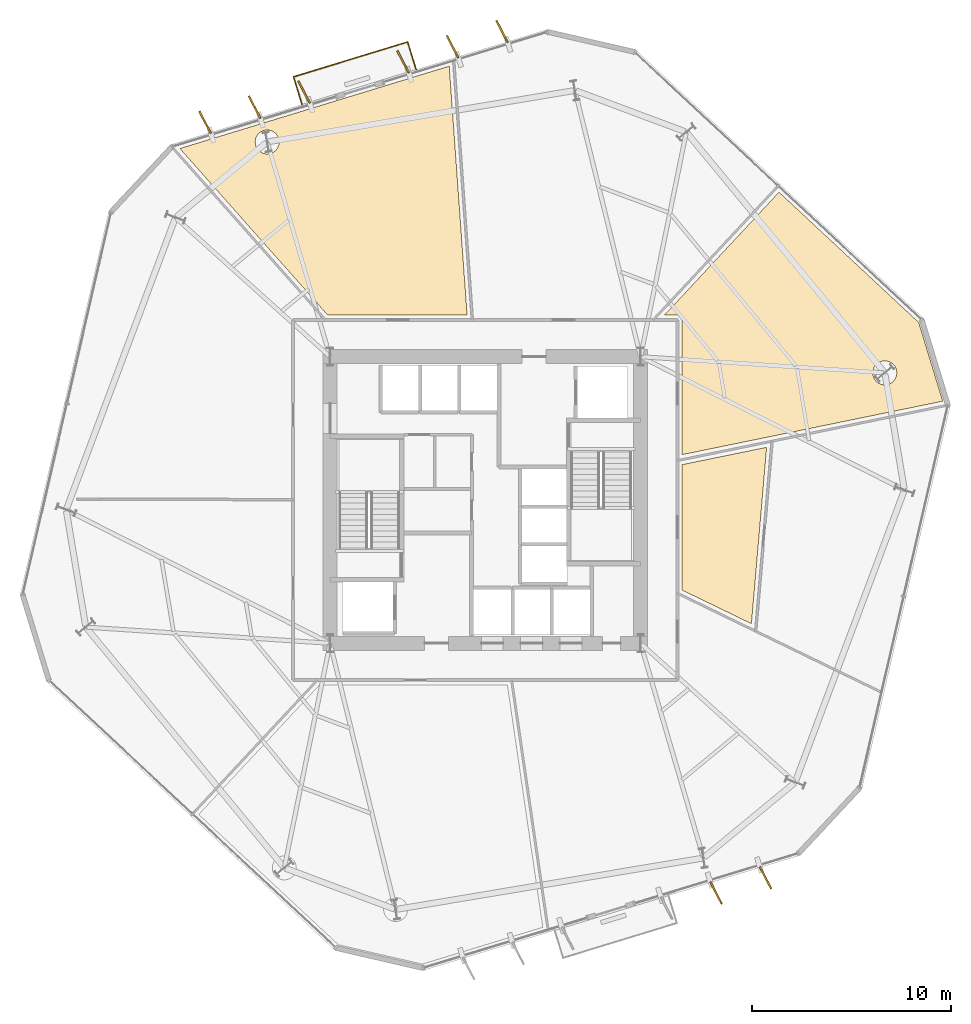
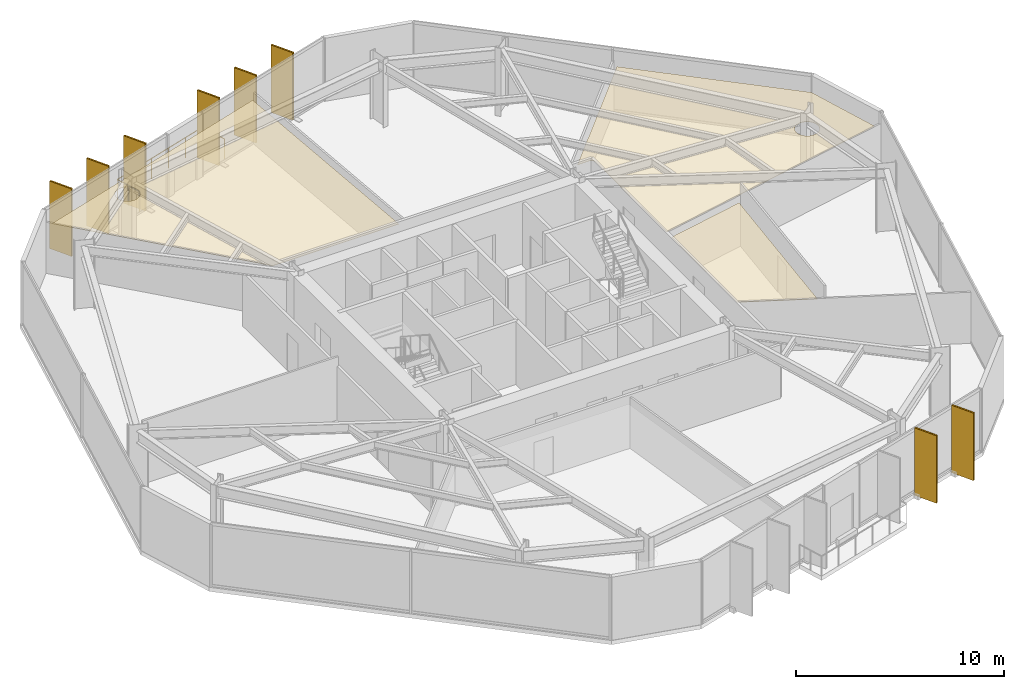
# One storey, part 9 of 9: 11 coverings, 8 shading devices, 1 railing.
"""IFC4 building model written with IfcOpenShell, lengths in metres."""

from ifc_helpers import new_model, si_unit, direction, frame, origin, origin_2d, place, context, subcontext, project, spatial, polyline, rectangle, circle, outline, extrude, material, layer, layer_set, type_object, element, save


model = new_model("IFC4")

# Units and contexts
model_context = context("Model", 3, precision=1e-05, world=origin(), true_north=direction((0.0, 1.0)))
body_context = subcontext(model_context, "Body", "Model", "MODEL_VIEW")
ifc_project = project(units=[si_unit("LENGTHUNIT", "METRE"), si_unit("AREAUNIT", "SQUARE_METRE"), si_unit("VOLUMEUNIT", "CUBIC_METRE"), si_unit("PLANEANGLEUNIT", "RADIAN"), si_unit("MASSUNIT", "GRAM", prefix="KILO")], contexts=[model_context])

# Site, building, storey
site_placement = place(None, origin())
site = spatial("IfcSite", under=ifc_project, at=site_placement, CompositionType="ELEMENT")
building_placement = place(site_placement, origin())
building = spatial("IfcBuilding", under=site, at=building_placement, Name="Kranzbogen Civic Tower", CompositionType="ELEMENT")
storey_placement = place(building_placement, frame((0.0, 0.0, 88.0)))
storey = spatial("IfcBuildingStorey", under=building, at=storey_placement, Name="L21", CompositionType="ELEMENT", Elevation=88.0)

# Coverings
ifc_material_1 = material(Name="Pale Anodised Aluminium", Category="aluminium")
ifc_layer_1 = layer(ifc_material_1, 0.02490234375, Name="Pale Anodised Aluminium")
ifc_layer_set_1 = layer_set([ifc_layer_1], Name="Pale Anodised Aluminium")
covering_type_1 = type_object("IfcCoveringType", Name="Anodised Aluminium Vertical Fin Cladding 25 mm", PredefinedType="CLADDING", material=ifc_layer_set_1)
for number, where, z_axis, x_axis, name in (
    (1, (25.840087890625, 48.5390625, -0.139892578125), (0.0, 0.0, 1.0), (-0.462073688663, 0.886841533897, 0.0), "L21 vertical fin pale-metal cladding F2-1"),
    (2, (23.35400390625, 47.778076171875, -0.139892578125), (0.0, 0.0, 1.0), (-0.462073688663, 0.886841533897, 0.0), "L21 vertical fin pale-metal cladding F2-2"),
    (3, (20.867919921875, 47.01806640625, -0.139892578125), (0.0, 0.0, 1.0), (-0.462073688663, 0.886841533897, 0.0), "L21 vertical fin pale-metal cladding F2-3"),
    (4, (15.89501953125, 45.498046875, -0.139892578125), (0.0, 0.0, 1.0), (-0.462073688663, 0.886841533897, 0.0), "L21 vertical fin pale-metal cladding F2-5"),
    (5, (13.408935546875, 44.738037109375, -0.139892578125), (0.0, 0.0, 1.0), (-0.462073688663, 0.886841533897, 0.0), "L21 vertical fin pale-metal cladding F2-6"),
    (6, (10.922119140625, 43.97705078125, -0.139892578125), (0.0, 0.0, 1.0), (-0.462073688663, 0.886841533897, 0.0), "L21 vertical fin pale-metal cladding F2-7"),
    (7, (36.591064453125, 5.261962890625, -0.139892578125), (0.0, 0.0, 1.0), (0.462073688663, -0.886841533897, 0.0), "L21 vertical fin pale-metal cladding F5-6"),
    (8, (39.077880859375, 6.02294921875, -0.139892578125), (0.0, 0.0, 1.0), (0.462073688663, -0.886841533897, 0.0), "L21 vertical fin pale-metal cladding F5-7"),
):
    element("IfcCovering", number, at=place(storey_placement, frame(where, z_axis=z_axis, x_axis=x_axis)), inside=storey, type_object=covering_type_1, Name=name, PredefinedType="CLADDING", context=body_context, shape_type="SweptSolid", body=[
        extrude(rectangle(XDim=1.25, YDim=0.10009765625, at=origin_2d()), origin(), (0.0, 0.0, 1.0), 3.9599609375),
    ])

# Shading devices
ifc_material_2 = material(Name="Anodised Bronze Aluminium", Category="aluminium")
shading_device_type = type_object("IfcShadingDeviceType", Name="Anodised Bronze Vertical Facade Fin 1250x80", PredefinedType="USERDEFINED", material=ifc_material_2)
for number, where, z_axis, x_axis, name in (
    (9, (25.840087890625, 48.5390625, -0.139892578125), (0.0, 0.0, 1.0), (-0.462073688663, 0.886841533897, 0.0), "L21 vertical exterior shading fin F2-1"),
    (10, (23.35400390625, 47.778076171875, -0.139892578125), (0.0, 0.0, 1.0), (-0.462073688663, 0.886841533897, 0.0), "L21 vertical exterior shading fin F2-2"),
    (11, (20.867919921875, 47.01806640625, -0.139892578125), (0.0, 0.0, 1.0), (-0.462073688663, 0.886841533897, 0.0), "L21 vertical exterior shading fin F2-3"),
    (12, (15.89501953125, 45.498046875, -0.139892578125), (0.0, 0.0, 1.0), (-0.462073688663, 0.886841533897, 0.0), "L21 vertical exterior shading fin F2-5"),
    (13, (13.408935546875, 44.738037109375, -0.139892578125), (0.0, 0.0, 1.0), (-0.462073688663, 0.886841533897, 0.0), "L21 vertical exterior shading fin F2-6"),
    (14, (10.922119140625, 43.97705078125, -0.139892578125), (0.0, 0.0, 1.0), (-0.462073688663, 0.886841533897, 0.0), "L21 vertical exterior shading fin F2-7"),
    (15, (36.591064453125, 5.261962890625, -0.139892578125), (0.0, 0.0, 1.0), (0.462073688663, -0.886841533897, 0.0), "L21 vertical exterior shading fin F5-6"),
    (16, (39.077880859375, 6.02294921875, -0.139892578125), (0.0, 0.0, 1.0), (0.462073688663, -0.886841533897, 0.0), "L21 vertical exterior shading fin F5-7"),
):
    element("IfcShadingDevice", number, at=place(storey_placement, frame(where, z_axis=z_axis, x_axis=x_axis)), inside=storey, type_object=shading_device_type, Name=name, ObjectType="FIN", PredefinedType="USERDEFINED", context=body_context, shape_type="SweptSolid", body=[
        extrude(rectangle(XDim=1.25, YDim=0.080078125, at=origin_2d()), origin(), (0.0, 0.0, 1.0), 3.9599609375),
    ])

# Railing
railing_type = type_object("IfcRailingType", Name="Cantilevered Balcony Glass and Bronze Balustrade 1200", PredefinedType="BALUSTRADE", material=ifc_material_2)
railing_placement = place(storey_placement, frame((21.52392578125, 46.62890625, 0.0)))
element("IfcRailing", 17, at=railing_placement, inside=storey, type_object=railing_type, Name="L21 exterior terrace balustrade L21-TB2", PredefinedType="BALUSTRADE", context=body_context, shape_type="SweptSolid", body=[
    extrude(circle(Radius=0.02392578125, at=origin_2d()), frame((0.0, 0.0, 1.17578125), z_axis=(-0.292192878616, 0.956359410309, 0.0), x_axis=(-0.956359410309, -0.292192878616, 0.0)), (0.0, 0.0, 1.0), 1.450439453125),
    extrude(circle(Radius=0.02392578125, at=origin_2d()), frame((-0.423828125, 1.38720703125, 1.17578125), z_axis=(-0.956297533712, -0.292395326598, 0.0), x_axis=(0.292395326598, -0.956297533712, 0.0)), (0.0, 0.0, 1.0), 5.999267578125),
    extrude(circle(Radius=0.02392578125, at=origin_2d()), frame((-6.160888671875, -0.366943359375, 1.17578125), z_axis=(0.292393872284, -0.956297978379, 0.0), x_axis=(0.956297978379, 0.292393872284, 0.0)), (0.0, 0.0, 1.0), 1.450439453125),
    extrude(circle(Radius=0.02099609375, at=origin_2d()), origin(), (0.0, 0.0, 1.0), 1.15185546875),
    extrude(circle(Radius=0.02099609375, at=origin_2d()), frame((-0.2119140625, 0.693603515625, 0.0)), (0.0, 0.0, 1.0), 1.15185546875),
    extrude(circle(Radius=0.02099609375, at=origin_2d()), frame((-0.423828125, 1.38720703125, 0.0)), (0.0, 0.0, 1.0), 1.15185546875),
    extrude(circle(Radius=0.02099609375, at=origin_2d()), frame((-1.5712890625, 1.036376953125, 0.0)), (0.0, 0.0, 1.0), 1.15185546875),
    extrude(circle(Radius=0.02099609375, at=origin_2d()), frame((-2.71875, 0.685546875, 0.0)), (0.0, 0.0, 1.0), 1.15185546875),
    extrude(circle(Radius=0.02099609375, at=origin_2d()), frame((-3.865966796875, 0.334716796875, 0.0)), (0.0, 0.0, 1.0), 1.15185546875),
    extrude(circle(Radius=0.02099609375, at=origin_2d()), frame((-5.013427734375, -0.01611328125, 0.0)), (0.0, 0.0, 1.0), 1.15185546875),
    extrude(circle(Radius=0.02099609375, at=origin_2d()), frame((-6.160888671875, -0.366943359375, 0.0)), (0.0, 0.0, 1.0), 1.15185546875),
    extrude(circle(Radius=0.02099609375, at=origin_2d()), frame((-5.94873046875, -1.060546875, 0.0)), (0.0, 0.0, 1.0), 1.15185546875),
    extrude(circle(Radius=0.02099609375, at=origin_2d()), frame((-5.73681640625, -1.75390625, 0.0)), (0.0, 0.0, 1.0), 1.15185546875),
])

# Coverings
ifc_material_3 = material(Name="Perforated Acoustic Gypsum Ceiling")
ifc_layer_2 = layer(ifc_material_3, 0.02490234375, Name="Perforated Acoustic Gypsum Ceiling")
ifc_layer_set_2 = layer_set([ifc_layer_2], Name="Perforated Acoustic Gypsum Ceiling")
covering_type_2 = type_object("IfcCoveringType", Name="Perforated Acoustic Mineral Ceiling Tile 25 mm", PredefinedType="CEILING", material=ifc_layer_set_2)
covering_1_placement = place(storey_placement, frame((0.0, 0.0, 2.75)))
element("IfcCovering", 18, at=covering_1_placement, inside=storey, type_object=covering_type_2, Name="L21 Operations Security Control Room acoustic ceiling", PredefinedType="CEILING", context=body_context, shape_type="SweptSolid", body=[
    extrude(outline(polyline([(34.89501953125, 26.779052734375), (39.135009765625, 27.64794921875), (38.37109375, 18.782958984375), (34.89501953125, 20.469970703125), (34.89501953125, 26.779052734375)])), origin(), (0.0, 0.0, 1.0), 0.02490234375),
])
covering_2_placement = place(storey_placement, frame((0.0, 0.0, 2.75)))
element("IfcCovering", 19, at=covering_2_placement, inside=storey, type_object=covering_type_2, Name="L21 Duty Crew Control Room acoustic ceiling", PredefinedType="CEILING", context=body_context, shape_type="SweptSolid", body=[
    extrude(outline(polyline([(47.986083984375, 29.964111328125), (34.89501953125, 27.279052734375), (34.89501953125, 34.050048828125), (34.89501953125, 34.05908203125), (34.89404296875, 34.06494140625), (34.89306640625, 34.0830078125), (34.89208984375, 34.089111328125), (34.887939453125, 34.10595703125), (34.886962890625, 34.113037109375), (34.882080078125, 34.1298828125), (34.8798828125, 34.135986328125), (34.873046875, 34.152099609375), (34.8701171875, 34.157958984375), (34.862060546875, 34.173095703125), (34.85791015625, 34.178955078125), (34.84912109375, 34.193115234375), (34.844970703125, 34.197998046875), (34.833984375, 34.2119140625), (34.8291015625, 34.217041015625), (34.81689453125, 34.22900390625), (34.81201171875, 34.23388671875), (34.798095703125, 34.2451171875), (34.79296875, 34.2490234375), (34.779052734375, 34.258056640625), (34.77294921875, 34.261962890625), (34.758056640625, 34.27001953125), (34.751953125, 34.27294921875), (34.736083984375, 34.280029296875), (34.72998046875, 34.281982421875), (34.712890625, 34.287109375), (34.7060546875, 34.2880859375), (34.68896484375, 34.2919921875), (34.68310546875, 34.29296875), (34.6650390625, 34.2939453125), (34.658935546875, 34.294921875), (34.64990234375, 34.294921875), (34.0029296875, 34.294921875), (39.757080078125, 40.466064453125), (46.777099609375, 33.919921875), (47.986083984375, 29.964111328125)]), holes=[polyline([(45.6279296875, 31.156005859375), (45.60302734375, 31.10205078125), (45.572998046875, 31.052001953125), (45.537109375, 31.00390625), (45.498046875, 30.9599609375), (45.4541015625, 30.9208984375), (45.406005859375, 30.885009765625), (45.35595703125, 30.85498046875), (45.302001953125, 30.830078125), (45.2470703125, 30.81005859375), (45.18896484375, 30.7958984375), (45.131103515625, 30.787109375), (45.072021484375, 30.783935546875), (45.012939453125, 30.787109375), (44.955078125, 30.7958984375), (44.89697265625, 30.81005859375), (44.842041015625, 30.830078125), (44.7880859375, 30.85498046875), (44.738037109375, 30.885009765625), (44.68994140625, 30.9208984375), (44.64599609375, 30.9599609375), (44.60693359375, 31.00390625), (44.571044921875, 31.052001953125), (44.541015625, 31.10205078125), (44.51611328125, 31.156005859375), (44.49609375, 31.2109375), (44.48193359375, 31.26904296875), (44.472900390625, 31.326904296875), (44.469970703125, 31.385986328125), (44.472900390625, 31.445068359375), (44.48193359375, 31.5029296875), (44.49609375, 31.56103515625), (44.51611328125, 31.615966796875), (44.541015625, 31.669921875), (44.571044921875, 31.719970703125), (44.60693359375, 31.76806640625), (44.64599609375, 31.81201171875), (44.68994140625, 31.85107421875), (44.738037109375, 31.886962890625), (44.7880859375, 31.9169921875), (44.842041015625, 31.94189453125), (44.89697265625, 31.9619140625), (44.955078125, 31.97607421875), (45.012939453125, 31.985107421875), (45.072021484375, 31.988037109375), (45.131103515625, 31.985107421875), (45.18896484375, 31.97607421875), (45.2470703125, 31.9619140625), (45.302001953125, 31.94189453125), (45.35595703125, 31.9169921875), (45.406005859375, 31.886962890625), (45.4541015625, 31.85107421875), (45.498046875, 31.81201171875), (45.537109375, 31.76806640625), (45.572998046875, 31.719970703125), (45.60302734375, 31.669921875), (45.6279296875, 31.615966796875), (45.64794921875, 31.56103515625), (45.662109375, 31.5029296875), (45.6708984375, 31.445068359375), (45.674072265625, 31.385986328125), (45.6708984375, 31.326904296875), (45.662109375, 31.26904296875), (45.64794921875, 31.2109375), (45.6279296875, 31.156005859375)])]), origin(), (0.0, 0.0, 1.0), 0.02490234375),
])
covering_3_placement = place(storey_placement, frame((0.0, 0.0, 2.75)))
element("IfcCovering", 20, at=covering_3_placement, inside=storey, type_object=covering_type_2, Name="L21 Civic Reference Library acoustic ceiling", PredefinedType="CEILING", context=body_context, shape_type="SweptSolid", body=[
    extrude(outline(polyline([(24.0859375, 34.294921875), (17.077880859375, 34.294921875), (9.654052734375, 42.658935546875), (23.18701171875, 46.797119140625), (24.0859375, 34.294921875)]), holes=[polyline([(14.597900390625, 42.758056640625), (14.572998046875, 42.7041015625), (14.54296875, 42.654052734375), (14.507080078125, 42.60595703125), (14.468017578125, 42.56201171875), (14.424072265625, 42.52294921875), (14.3759765625, 42.487060546875), (14.325927734375, 42.45703125), (14.27197265625, 42.431884765625), (14.217041015625, 42.412109375), (14.158935546875, 42.39794921875), (14.10107421875, 42.388916015625), (14.0419921875, 42.385986328125), (13.98291015625, 42.388916015625), (13.925048828125, 42.39794921875), (13.866943359375, 42.412109375), (13.81201171875, 42.431884765625), (13.758056640625, 42.45703125), (13.7080078125, 42.487060546875), (13.659912109375, 42.52294921875), (13.615966796875, 42.56201171875), (13.576904296875, 42.60595703125), (13.541015625, 42.654052734375), (13.510986328125, 42.7041015625), (13.486083984375, 42.758056640625), (13.466064453125, 42.81298828125), (13.451904296875, 42.87109375), (13.443115234375, 42.928955078125), (13.43994140625, 42.988037109375), (13.443115234375, 43.047119140625), (13.451904296875, 43.10498046875), (13.466064453125, 43.1630859375), (13.486083984375, 43.218017578125), (13.510986328125, 43.27197265625), (13.541015625, 43.322021484375), (13.576904296875, 43.3701171875), (13.615966796875, 43.4140625), (13.659912109375, 43.452880859375), (13.7080078125, 43.489013671875), (13.758056640625, 43.51904296875), (13.81201171875, 43.5439453125), (13.866943359375, 43.56396484375), (13.925048828125, 43.577880859375), (13.98291015625, 43.5869140625), (14.0419921875, 43.590087890625), (14.10107421875, 43.5869140625), (14.158935546875, 43.577880859375), (14.217041015625, 43.56396484375), (14.27197265625, 43.5439453125), (14.325927734375, 43.51904296875), (14.3759765625, 43.489013671875), (14.424072265625, 43.452880859375), (14.468017578125, 43.4140625), (14.507080078125, 43.3701171875), (14.54296875, 43.322021484375), (14.572998046875, 43.27197265625), (14.597900390625, 43.218017578125), (14.617919921875, 43.1630859375), (14.632080078125, 43.10498046875), (14.64111328125, 43.047119140625), (14.64404296875, 42.988037109375), (14.64111328125, 42.928955078125), (14.632080078125, 42.87109375), (14.617919921875, 42.81298828125), (14.597900390625, 42.758056640625)])]), origin(), (0.0, 0.0, 1.0), 0.02490234375),
])

save(model, "model.ifc")
